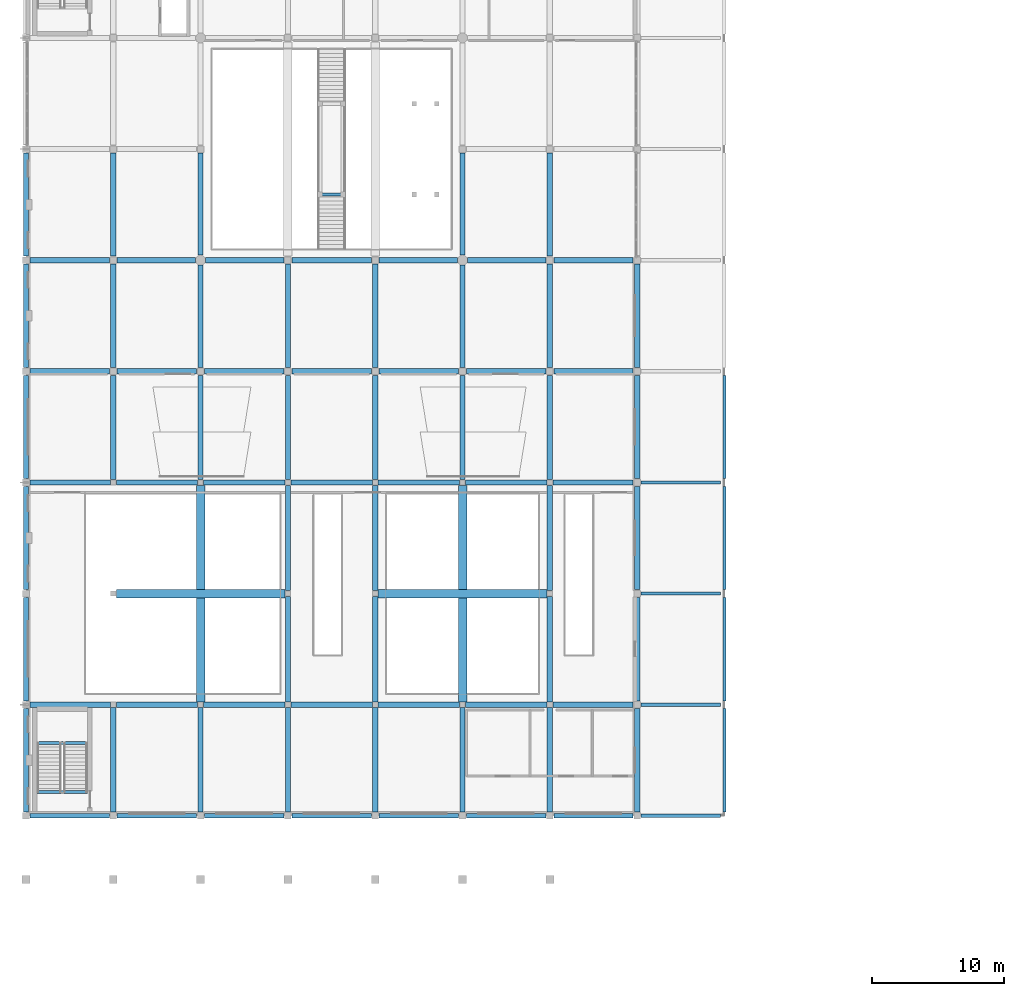
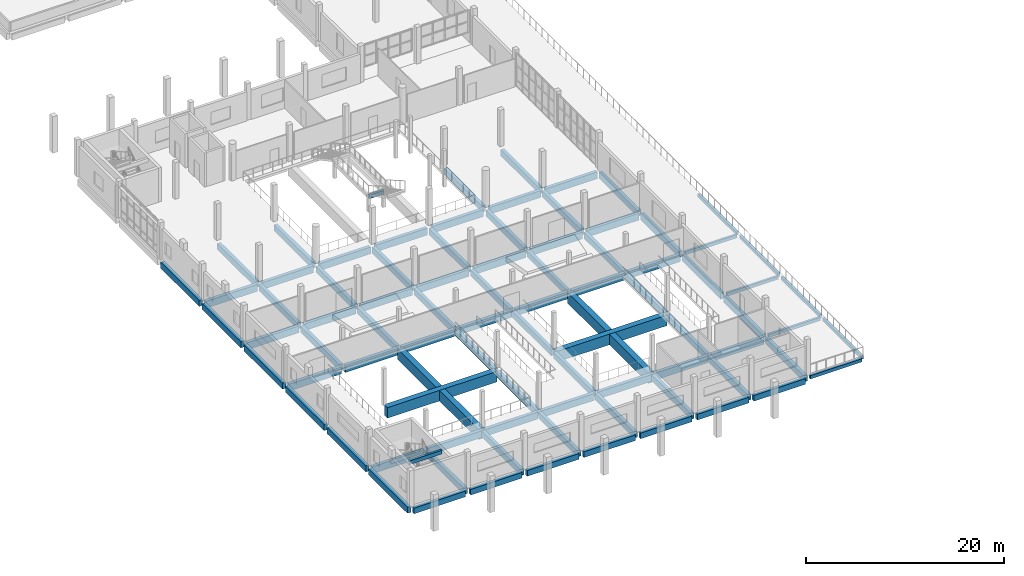
# One storey, part 3 of 83: 89 beams.
"""IFC4 building model written with IfcOpenShell, lengths in metres."""

from ifc_helpers import new_model, si_unit, direction, frame, origin, origin_2d, place, context, subcontext, project, spatial, rectangle, extrude, material, material_profile, profile_set, type_object, element, save


model = new_model("IFC4")

# Units and contexts
model_context = context("Model", 3, precision=1e-05, world=origin(), true_north=direction((0.0, 1.0)))
body_context = subcontext(model_context, "Body", "Model", "MODEL_VIEW")
ifc_project = project(units=[si_unit("LENGTHUNIT", "METRE"), si_unit("AREAUNIT", "SQUARE_METRE"), si_unit("VOLUMEUNIT", "CUBIC_METRE"), si_unit("PLANEANGLEUNIT", "RADIAN"), si_unit("MASSUNIT", "GRAM", prefix="KILO")], contexts=[model_context])

# Site, building, storey
site_placement = place(None, origin())
site = spatial("IfcSite", under=ifc_project, at=site_placement, CompositionType="ELEMENT")
building_placement = place(site_placement, origin())
building = spatial("IfcBuilding", under=site, at=building_placement, Name="Qaldarim Faculty of Natural and Applied Sciences", CompositionType="ELEMENT")
storey_placement = place(building_placement, frame((0.0, 0.0, 5.39990234375)))
storey = spatial("IfcBuildingStorey", under=building, at=storey_placement, Name="L01", CompositionType="ELEMENT", Elevation=5.39990234375)

# Beams
ifc_material_1 = material(Name="Concrete C40/50", Category="concrete")
ifc_material_profile_1 = material_profile(ifc_material_1, rectangle(XDim=0.25, YDim=0.39990234375, at=origin_2d()), Name="RC-LN250x400")
ifc_profile_set_1 = profile_set([ifc_material_profile_1], Name="Concrete C40/50")
beam_type_1 = type_object("IfcBeamType", Name="ArcadeLintel-RC250x400", PredefinedType="LINTEL", material=ifc_profile_set_1)
for number, where, z_axis, x_axis, name in (
    (1, (46.5, 16.800048828125, -0.39990234375), (1.0, 0.0, 0.0), (0.0, 1.0, 0.0), "Beam RC-LN250x400 L00 X08-X09/Y03"),
    (2, (46.5, 25.199951171875, -0.39990234375), (1.0, 0.0, 0.0), (0.0, 1.0, 0.0), "Beam RC-LN250x400 L00 X08-X09/Y04"),
    (3, (46.5, 33.60009765625, -0.39990234375), (1.0, 0.0, 0.0), (0.0, 1.0, 0.0), "Beam RC-LN250x400 L00 X08-X09/Y05"),
    (4, (46.5, 42.0, -0.39990234375), (1.0, 0.0, 0.0), (0.0, 1.0, 0.0), "Beam RC-LN250x400 L00 X08-X09/Y06"),
):
    element("IfcBeam", number, at=place(storey_placement, frame(where, z_axis=z_axis, x_axis=x_axis)), inside=storey, type_object=beam_type_1, Name=name, PredefinedType="LINTEL", context=body_context, shape_type="SweptSolid", body=[
        extrude(rectangle(XDim=0.25, YDim=0.39990234375, at=origin_2d()), origin(), (0.0, 0.0, 1.0), 6.0),
    ])
beam_1_placement = place(storey_placement, frame((52.800048828125, 17.10009765625, -0.39990234375), z_axis=(0.0, 1.0, 0.0), x_axis=(-1.0, 0.0, 0.0)))
element("IfcBeam", 5, at=beam_1_placement, inside=storey, type_object=beam_type_1, Name="Beam RC-LN250x400 L00 X09/Y03-Y04", PredefinedType="LINTEL", context=body_context, shape_type="SweptSolid", body=[
    extrude(rectangle(XDim=0.25, YDim=0.39990234375, at=origin_2d()), origin(), (0.0, 0.0, 1.0), 7.7998046875),
])
for number, where, z_axis, x_axis, name in (
    (6, (52.800048828125, 25.5, -0.39990234375), (0.0, 1.0, 0.0), (-1.0, 0.0, 0.0), "Beam RC-LN250x400 L00 X09/Y04-Y05"),
    (7, (52.800048828125, 33.89990234375, -0.39990234375), (0.0, 1.0, 0.0), (-1.0, 0.0, 0.0), "Beam RC-LN250x400 L00 X09/Y05-Y06"),
    (8, (52.800048828125, 42.300048828125, -0.39990234375), (0.0, 1.0, 0.0), (-1.0, 0.0, 0.0), "Beam RC-LN250x400 L00 X09/Y06-Y07"),
):
    element("IfcBeam", number, at=place(storey_placement, frame(where, z_axis=z_axis, x_axis=x_axis)), inside=storey, type_object=beam_type_1, Name=name, PredefinedType="LINTEL", context=body_context, shape_type="SweptSolid", body=[
        extrude(rectangle(XDim=0.25, YDim=0.39990234375, at=origin_2d()), origin(), (0.0, 0.0, 1.0), 7.800048828125),
    ])
ifc_material_2 = material(Name="Concrete C50/60", Category="concrete")
ifc_material_profile_2 = material_profile(ifc_material_2, rectangle(XDim=0.39990234375, YDim=0.75, at=origin_2d()), Name="RC-B400x750")
ifc_profile_set_2 = profile_set([ifc_material_profile_2], Name="Concrete C50/60")
beam_type_2 = type_object("IfcBeamType", Name="LabGirder-RC400x750", PredefinedType="BEAM", material=ifc_profile_set_2)
beam_2_placement = place(storey_placement, frame((0.0, 17.10009765625, -0.6748046875), z_axis=(0.0, 1.0, 0.0), x_axis=(-1.0, 0.0, 0.0)))
element("IfcBeam", 9, at=beam_2_placement, inside=storey, type_object=beam_type_2, Name="Beam RC-B400x750 L00 X01/Y03-Y04", PredefinedType="BEAM", context=body_context, shape_type="SweptSolid", body=[
    extrude(rectangle(XDim=0.39990234375, YDim=0.75, at=origin_2d()), origin(), (0.0, 0.0, 1.0), 7.7998046875),
])
for number, where, z_axis, x_axis, name in (
    (10, (0.0, 25.5, -0.6748046875), (0.0, 1.0, 0.0), (-1.0, 0.0, 0.0), "Beam RC-B400x750 L00 X01/Y04-Y05"),
    (11, (0.0, 33.89990234375, -0.6748046875), (0.0, 1.0, 0.0), (-1.0, 0.0, 0.0), "Beam RC-B400x750 L00 X01/Y05-Y06"),
    (12, (0.0, 42.300048828125, -0.6748046875), (0.0, 1.0, 0.0), (-1.0, 0.0, 0.0), "Beam RC-B400x750 L00 X01/Y06-Y07"),
    (13, (0.0, 50.699951171875, -0.6748046875), (0.0, 1.0, 0.0), (-1.0, 0.0, 0.0), "Beam RC-B400x750 L00 X01/Y07-Y08"),
):
    element("IfcBeam", number, at=place(storey_placement, frame(where, z_axis=z_axis, x_axis=x_axis)), inside=storey, type_object=beam_type_2, Name=name, PredefinedType="BEAM", context=body_context, shape_type="SweptSolid", body=[
        extrude(rectangle(XDim=0.39990234375, YDim=0.75, at=origin_2d()), origin(), (0.0, 0.0, 1.0), 7.800048828125),
    ])
beam_3_placement = place(storey_placement, frame((0.0, 59.10009765625, -0.6748046875), z_axis=(0.0, 1.0, 0.0), x_axis=(-1.0, 0.0, 0.0)))
element("IfcBeam", 14, at=beam_3_placement, inside=storey, type_object=beam_type_2, Name="Beam RC-B400x750 L00 X01/Y08-Y09", PredefinedType="BEAM", context=body_context, shape_type="SweptSolid", body=[
    extrude(rectangle(XDim=0.39990234375, YDim=0.75, at=origin_2d()), origin(), (0.0, 0.0, 1.0), 7.7998046875),
])
for number, where, z_axis, x_axis, name in (
    (15, (6.60009765625, 17.10009765625, -0.6748046875), (0.0, 1.0, 0.0), (-1.0, 0.0, 0.0), "Beam RC-B400x750 L00 X02/Y03-Y04"),
    (16, (6.60009765625, 42.22509765625, -0.6748046875), (0.0, 1.0, 0.0), (-1.0, 0.0, 0.0), "Beam RC-B400x750 L00 X02/Y06-Y07"),
):
    element("IfcBeam", number, at=place(storey_placement, frame(where, z_axis=z_axis, x_axis=x_axis)), inside=storey, type_object=beam_type_2, Name=name, PredefinedType="BEAM", context=body_context, shape_type="SweptSolid", body=[
        extrude(rectangle(XDim=0.39990234375, YDim=0.75, at=origin_2d()), origin(), (0.0, 0.0, 1.0), 7.875),
    ])
beam_4_placement = place(storey_placement, frame((6.60009765625, 50.699951171875, -0.6748046875), z_axis=(0.0, 1.0, 0.0), x_axis=(-1.0, 0.0, 0.0)))
element("IfcBeam", 17, at=beam_4_placement, inside=storey, type_object=beam_type_2, Name="Beam RC-B400x750 L00 X02/Y07-Y08", PredefinedType="BEAM", context=body_context, shape_type="SweptSolid", body=[
    extrude(rectangle(XDim=0.39990234375, YDim=0.75, at=origin_2d()), origin(), (0.0, 0.0, 1.0), 7.800048828125),
])
beam_5_placement = place(storey_placement, frame((6.60009765625, 59.10009765625, -0.6748046875), z_axis=(0.0, 1.0, 0.0), x_axis=(-1.0, 0.0, 0.0)))
element("IfcBeam", 18, at=beam_5_placement, inside=storey, type_object=beam_type_2, Name="Beam RC-B400x750 L00 X02/Y08-Y09", PredefinedType="BEAM", context=body_context, shape_type="SweptSolid", body=[
    extrude(rectangle(XDim=0.39990234375, YDim=0.75, at=origin_2d()), origin(), (0.0, 0.0, 1.0), 7.7998046875),
])
for number, where, z_axis, x_axis, name in (
    (19, (13.199951171875, 17.10009765625, -0.6748046875), (0.0, 1.0, 0.0), (-1.0, 0.0, 0.0), "Beam RC-B400x750 L00 X03/Y03-Y04"),
    (20, (13.199951171875, 42.22509765625, -0.6748046875), (0.0, 1.0, 0.0), (-1.0, 0.0, 0.0), "Beam RC-B400x750 L00 X03/Y06-Y07"),
):
    element("IfcBeam", number, at=place(storey_placement, frame(where, z_axis=z_axis, x_axis=x_axis)), inside=storey, type_object=beam_type_2, Name=name, PredefinedType="BEAM", context=body_context, shape_type="SweptSolid", body=[
        extrude(rectangle(XDim=0.39990234375, YDim=0.75, at=origin_2d()), origin(), (0.0, 0.0, 1.0), 7.875),
    ])
beam_6_placement = place(storey_placement, frame((13.199951171875, 50.699951171875, -0.6748046875), z_axis=(0.0, 1.0, 0.0), x_axis=(-1.0, 0.0, 0.0)))
element("IfcBeam", 21, at=beam_6_placement, inside=storey, type_object=beam_type_2, Name="Beam RC-B400x750 L00 X03/Y07-Y08", PredefinedType="BEAM", context=body_context, shape_type="SweptSolid", body=[
    extrude(rectangle(XDim=0.39990234375, YDim=0.75, at=origin_2d()), origin(), (0.0, 0.0, 1.0), 7.72509765625),
])
beam_7_placement = place(storey_placement, frame((13.199951171875, 59.175048828125, -0.6748046875), z_axis=(0.0, 1.0, 0.0), x_axis=(-1.0, 0.0, 0.0)))
element("IfcBeam", 22, at=beam_7_placement, inside=storey, type_object=beam_type_2, Name="Beam RC-B400x750 L00 X03/Y08-Y09", PredefinedType="BEAM", context=body_context, shape_type="SweptSolid", body=[
    extrude(rectangle(XDim=0.39990234375, YDim=0.75, at=origin_2d()), origin(), (0.0, 0.0, 1.0), 7.724853515625),
])
beam_8_placement = place(storey_placement, frame((19.800048828125, 17.10009765625, -0.6748046875), z_axis=(0.0, 1.0, 0.0), x_axis=(-1.0, 0.0, 0.0)))
element("IfcBeam", 23, at=beam_8_placement, inside=storey, type_object=beam_type_2, Name="Beam RC-B400x750 L00 X04/Y03-Y04", PredefinedType="BEAM", context=body_context, shape_type="SweptSolid", body=[
    extrude(rectangle(XDim=0.39990234375, YDim=0.75, at=origin_2d()), origin(), (0.0, 0.0, 1.0), 7.875),
])
for number, where, z_axis, x_axis, name in (
    (24, (19.800048828125, 25.425048828125, -0.6748046875), (0.0, 1.0, 0.0), (-1.0, 0.0, 0.0), "Beam RC-B400x750 L00 X04/Y04-Y05"),
    (25, (19.800048828125, 33.824951171875, -0.6748046875), (0.0, 1.0, 0.0), (-1.0, 0.0, 0.0), "Beam RC-B400x750 L00 X04/Y05-Y06"),
):
    element("IfcBeam", number, at=place(storey_placement, frame(where, z_axis=z_axis, x_axis=x_axis)), inside=storey, type_object=beam_type_2, Name=name, PredefinedType="BEAM", context=body_context, shape_type="SweptSolid", body=[
        extrude(rectangle(XDim=0.39990234375, YDim=0.75, at=origin_2d()), origin(), (0.0, 0.0, 1.0), 7.949951171875),
    ])
beam_9_placement = place(storey_placement, frame((19.800048828125, 42.22509765625, -0.6748046875), z_axis=(0.0, 1.0, 0.0), x_axis=(-1.0, 0.0, 0.0)))
element("IfcBeam", 26, at=beam_9_placement, inside=storey, type_object=beam_type_2, Name="Beam RC-B400x750 L00 X04/Y06-Y07", PredefinedType="BEAM", context=body_context, shape_type="SweptSolid", body=[
    extrude(rectangle(XDim=0.39990234375, YDim=0.75, at=origin_2d()), origin(), (0.0, 0.0, 1.0), 7.875),
])
beam_10_placement = place(storey_placement, frame((19.800048828125, 50.699951171875, -0.6748046875), z_axis=(0.0, 1.0, 0.0), x_axis=(-1.0, 0.0, 0.0)))
element("IfcBeam", 27, at=beam_10_placement, inside=storey, type_object=beam_type_2, Name="Beam RC-B400x750 L00 X04/Y07-Y08", PredefinedType="BEAM", context=body_context, shape_type="SweptSolid", body=[
    extrude(rectangle(XDim=0.39990234375, YDim=0.75, at=origin_2d()), origin(), (0.0, 0.0, 1.0), 7.800048828125),
])
beam_11_placement = place(storey_placement, frame((26.39990234375, 17.10009765625, -0.6748046875), z_axis=(0.0, 1.0, 0.0), x_axis=(-1.0, 0.0, 0.0)))
element("IfcBeam", 28, at=beam_11_placement, inside=storey, type_object=beam_type_2, Name="Beam RC-B400x750 L00 X05/Y03-Y04", PredefinedType="BEAM", context=body_context, shape_type="SweptSolid", body=[
    extrude(rectangle(XDim=0.39990234375, YDim=0.75, at=origin_2d()), origin(), (0.0, 0.0, 1.0), 7.875),
])
for number, where, z_axis, x_axis, name in (
    (29, (26.39990234375, 25.425048828125, -0.6748046875), (0.0, 1.0, 0.0), (-1.0, 0.0, 0.0), "Beam RC-B400x750 L00 X05/Y04-Y05"),
    (30, (26.39990234375, 33.824951171875, -0.6748046875), (0.0, 1.0, 0.0), (-1.0, 0.0, 0.0), "Beam RC-B400x750 L00 X05/Y05-Y06"),
):
    element("IfcBeam", number, at=place(storey_placement, frame(where, z_axis=z_axis, x_axis=x_axis)), inside=storey, type_object=beam_type_2, Name=name, PredefinedType="BEAM", context=body_context, shape_type="SweptSolid", body=[
        extrude(rectangle(XDim=0.39990234375, YDim=0.75, at=origin_2d()), origin(), (0.0, 0.0, 1.0), 7.949951171875),
    ])
beam_12_placement = place(storey_placement, frame((26.39990234375, 42.22509765625, -0.6748046875), z_axis=(0.0, 1.0, 0.0), x_axis=(-1.0, 0.0, 0.0)))
element("IfcBeam", 31, at=beam_12_placement, inside=storey, type_object=beam_type_2, Name="Beam RC-B400x750 L00 X05/Y06-Y07", PredefinedType="BEAM", context=body_context, shape_type="SweptSolid", body=[
    extrude(rectangle(XDim=0.39990234375, YDim=0.75, at=origin_2d()), origin(), (0.0, 0.0, 1.0), 7.875),
])
beam_13_placement = place(storey_placement, frame((26.39990234375, 50.699951171875, -0.6748046875), z_axis=(0.0, 1.0, 0.0), x_axis=(-1.0, 0.0, 0.0)))
element("IfcBeam", 32, at=beam_13_placement, inside=storey, type_object=beam_type_2, Name="Beam RC-B400x750 L00 X05/Y07-Y08", PredefinedType="BEAM", context=body_context, shape_type="SweptSolid", body=[
    extrude(rectangle(XDim=0.39990234375, YDim=0.75, at=origin_2d()), origin(), (0.0, 0.0, 1.0), 7.800048828125),
])
for number, where, z_axis, x_axis, name in (
    (33, (33.0, 17.10009765625, -0.6748046875), (0.0, 1.0, 0.0), (-1.0, 0.0, 0.0), "Beam RC-B400x750 L00 X06/Y03-Y04"),
    (34, (33.0, 42.22509765625, -0.6748046875), (0.0, 1.0, 0.0), (-1.0, 0.0, 0.0), "Beam RC-B400x750 L00 X06/Y06-Y07"),
):
    element("IfcBeam", number, at=place(storey_placement, frame(where, z_axis=z_axis, x_axis=x_axis)), inside=storey, type_object=beam_type_2, Name=name, PredefinedType="BEAM", context=body_context, shape_type="SweptSolid", body=[
        extrude(rectangle(XDim=0.39990234375, YDim=0.75, at=origin_2d()), origin(), (0.0, 0.0, 1.0), 7.875),
    ])
beam_14_placement = place(storey_placement, frame((33.0, 50.699951171875, -0.6748046875), z_axis=(0.0, 1.0, 0.0), x_axis=(-1.0, 0.0, 0.0)))
element("IfcBeam", 35, at=beam_14_placement, inside=storey, type_object=beam_type_2, Name="Beam RC-B400x750 L00 X06/Y07-Y08", PredefinedType="BEAM", context=body_context, shape_type="SweptSolid", body=[
    extrude(rectangle(XDim=0.39990234375, YDim=0.75, at=origin_2d()), origin(), (0.0, 0.0, 1.0), 7.72509765625),
])
beam_15_placement = place(storey_placement, frame((33.0, 59.175048828125, -0.6748046875), z_axis=(0.0, 1.0, 0.0), x_axis=(-1.0, 0.0, 0.0)))
element("IfcBeam", 36, at=beam_15_placement, inside=storey, type_object=beam_type_2, Name="Beam RC-B400x750 L00 X06/Y08-Y09", PredefinedType="BEAM", context=body_context, shape_type="SweptSolid", body=[
    extrude(rectangle(XDim=0.39990234375, YDim=0.75, at=origin_2d()), origin(), (0.0, 0.0, 1.0), 7.724853515625),
])
beam_16_placement = place(storey_placement, frame((39.60009765625, 17.10009765625, -0.6748046875), z_axis=(0.0, 1.0, 0.0), x_axis=(-1.0, 0.0, 0.0)))
element("IfcBeam", 37, at=beam_16_placement, inside=storey, type_object=beam_type_2, Name="Beam RC-B400x750 L00 X07/Y03-Y04", PredefinedType="BEAM", context=body_context, shape_type="SweptSolid", body=[
    extrude(rectangle(XDim=0.39990234375, YDim=0.75, at=origin_2d()), origin(), (0.0, 0.0, 1.0), 7.875),
])
for number, where, z_axis, x_axis, name in (
    (38, (39.60009765625, 25.425048828125, -0.6748046875), (0.0, 1.0, 0.0), (-1.0, 0.0, 0.0), "Beam RC-B400x750 L00 X07/Y04-Y05"),
    (39, (39.60009765625, 33.824951171875, -0.6748046875), (0.0, 1.0, 0.0), (-1.0, 0.0, 0.0), "Beam RC-B400x750 L00 X07/Y05-Y06"),
):
    element("IfcBeam", number, at=place(storey_placement, frame(where, z_axis=z_axis, x_axis=x_axis)), inside=storey, type_object=beam_type_2, Name=name, PredefinedType="BEAM", context=body_context, shape_type="SweptSolid", body=[
        extrude(rectangle(XDim=0.39990234375, YDim=0.75, at=origin_2d()), origin(), (0.0, 0.0, 1.0), 7.949951171875),
    ])
beam_17_placement = place(storey_placement, frame((39.60009765625, 42.22509765625, -0.6748046875), z_axis=(0.0, 1.0, 0.0), x_axis=(-1.0, 0.0, 0.0)))
element("IfcBeam", 40, at=beam_17_placement, inside=storey, type_object=beam_type_2, Name="Beam RC-B400x750 L00 X07/Y06-Y07", PredefinedType="BEAM", context=body_context, shape_type="SweptSolid", body=[
    extrude(rectangle(XDim=0.39990234375, YDim=0.75, at=origin_2d()), origin(), (0.0, 0.0, 1.0), 7.875),
])
beam_18_placement = place(storey_placement, frame((39.60009765625, 50.699951171875, -0.6748046875), z_axis=(0.0, 1.0, 0.0), x_axis=(-1.0, 0.0, 0.0)))
element("IfcBeam", 41, at=beam_18_placement, inside=storey, type_object=beam_type_2, Name="Beam RC-B400x750 L00 X07/Y07-Y08", PredefinedType="BEAM", context=body_context, shape_type="SweptSolid", body=[
    extrude(rectangle(XDim=0.39990234375, YDim=0.75, at=origin_2d()), origin(), (0.0, 0.0, 1.0), 7.800048828125),
])
for number, where, z_axis, x_axis, name in (
    (42, (39.60009765625, 59.10009765625, -0.6748046875), (0.0, 1.0, 0.0), (-1.0, 0.0, 0.0), "Beam RC-B400x750 L00 X07/Y08-Y09"),
    (43, (46.199951171875, 17.10009765625, -0.6748046875), (0.0, 1.0, 0.0), (-1.0, 0.0, 0.0), "Beam RC-B400x750 L00 X08/Y03-Y04"),
):
    element("IfcBeam", number, at=place(storey_placement, frame(where, z_axis=z_axis, x_axis=x_axis)), inside=storey, type_object=beam_type_2, Name=name, PredefinedType="BEAM", context=body_context, shape_type="SweptSolid", body=[
        extrude(rectangle(XDim=0.39990234375, YDim=0.75, at=origin_2d()), origin(), (0.0, 0.0, 1.0), 7.7998046875),
    ])
for number, where, z_axis, x_axis, name in (
    (44, (46.199951171875, 25.5, -0.6748046875), (0.0, 1.0, 0.0), (-1.0, 0.0, 0.0), "Beam RC-B400x750 L00 X08/Y04-Y05"),
    (45, (46.199951171875, 33.89990234375, -0.6748046875), (0.0, 1.0, 0.0), (-1.0, 0.0, 0.0), "Beam RC-B400x750 L00 X08/Y05-Y06"),
    (46, (46.199951171875, 42.300048828125, -0.6748046875), (0.0, 1.0, 0.0), (-1.0, 0.0, 0.0), "Beam RC-B400x750 L00 X08/Y06-Y07"),
    (47, (46.199951171875, 50.699951171875, -0.6748046875), (0.0, 1.0, 0.0), (-1.0, 0.0, 0.0), "Beam RC-B400x750 L00 X08/Y07-Y08"),
):
    element("IfcBeam", number, at=place(storey_placement, frame(where, z_axis=z_axis, x_axis=x_axis)), inside=storey, type_object=beam_type_2, Name=name, PredefinedType="BEAM", context=body_context, shape_type="SweptSolid", body=[
        extrude(rectangle(XDim=0.39990234375, YDim=0.75, at=origin_2d()), origin(), (0.0, 0.0, 1.0), 7.800048828125),
    ])
ifc_material_profile_3 = material_profile(ifc_material_1, rectangle(XDim=0.25, YDim=0.449951171875, at=origin_2d()), Name="RC-LN250x450")
ifc_profile_set_3 = profile_set([ifc_material_profile_3], Name="Concrete C40/50")
beam_type_3 = type_object("IfcBeamType", Name="LandingSupportBeam-RC250x450", PredefinedType="BEAM", material=ifc_profile_set_3)
for number, where, z_axis, x_axis, name in (
    (48, (0.85009765625, 22.304931640625, 1.815185546875), (1.0, 0.0, 0.0), (0.0, 1.0, 0.0), "Stair landing support beam ST-D1 L01"),
    (49, (0.85009765625, 18.60009765625, 3.97509765625), (1.0, 0.0, 0.0), (0.0, 1.0, 0.0), "Stair arrival support beam ST-D1 L01"),
):
    element("IfcBeam", number, at=place(storey_placement, frame(where, z_axis=z_axis, x_axis=x_axis)), inside=storey, type_object=beam_type_3, Name=name, PredefinedType="BEAM", context=body_context, shape_type="SweptSolid", body=[
        extrude(rectangle(XDim=0.25, YDim=0.449951171875, at=origin_2d()), origin(), (0.0, 0.0, 1.0), 3.7998046875),
    ])
beam_19_placement = place(storey_placement, frame((22.25, 63.77001953125, 1.815185546875), z_axis=(1.0, 0.0, 0.0), x_axis=(0.0, 1.0, 0.0)))
element("IfcBeam", 50, at=beam_19_placement, inside=storey, type_object=beam_type_3, Name="Open stair landing beam ST-AT1-L01 S", PredefinedType="BEAM", context=body_context, shape_type="SweptSolid", body=[
    extrude(rectangle(XDim=0.25, YDim=0.449951171875, at=origin_2d()), origin(), (0.0, 0.0, 1.0), 1.699951171875),
])
ifc_material_profile_4 = material_profile(ifc_material_2, rectangle(XDim=0.39990234375, YDim=0.85009765625, at=origin_2d()), Name="RC-B400x850")
ifc_profile_set_4 = profile_set([ifc_material_profile_4], Name="Concrete C50/60")
beam_type_4 = type_object("IfcBeamType", Name="PodiumGirder-RC400x850", PredefinedType="BEAM", material=ifc_profile_set_4)
beam_20_placement = place(storey_placement, frame((0.300048828125, 25.199951171875, -0.724853515625), z_axis=(1.0, 0.0, 0.0), x_axis=(0.0, 1.0, 0.0)))
element("IfcBeam", 51, at=beam_20_placement, inside=storey, type_object=beam_type_4, Name="Beam RC-B400x850 L00 X01-X02/Y04", PredefinedType="BEAM", context=body_context, shape_type="SweptSolid", body=[
    extrude(rectangle(XDim=0.39990234375, YDim=0.85009765625, at=origin_2d()), origin(), (0.0, 0.0, 1.0), 6.074951171875),
])
beam_21_placement = place(storey_placement, frame((6.824951171875, 25.199951171875, -0.724853515625), z_axis=(1.0, 0.0, 0.0), x_axis=(0.0, 1.0, 0.0)))
element("IfcBeam", 52, at=beam_21_placement, inside=storey, type_object=beam_type_4, Name="Beam RC-B400x850 L00 X02-X03/Y04", PredefinedType="BEAM", context=body_context, shape_type="SweptSolid", body=[
    extrude(rectangle(XDim=0.39990234375, YDim=0.85009765625, at=origin_2d()), origin(), (0.0, 0.0, 1.0), 6.150146484375),
])
beam_22_placement = place(storey_placement, frame((13.425048828125, 25.199951171875, -0.724853515625), z_axis=(1.0, 0.0, 0.0), x_axis=(0.0, 1.0, 0.0)))
element("IfcBeam", 53, at=beam_22_placement, inside=storey, type_object=beam_type_4, Name="Beam RC-B400x850 L00 X03-X04/Y04", PredefinedType="BEAM", context=body_context, shape_type="SweptSolid", body=[
    extrude(rectangle(XDim=0.39990234375, YDim=0.85009765625, at=origin_2d()), origin(), (0.0, 0.0, 1.0), 6.14990234375),
])
beam_23_placement = place(storey_placement, frame((20.02490234375, 25.199951171875, -0.724853515625), z_axis=(1.0, 0.0, 0.0), x_axis=(0.0, 1.0, 0.0)))
element("IfcBeam", 54, at=beam_23_placement, inside=storey, type_object=beam_type_4, Name="Beam RC-B400x850 L00 X04-X05/Y04", PredefinedType="BEAM", context=body_context, shape_type="SweptSolid", body=[
    extrude(rectangle(XDim=0.39990234375, YDim=0.85009765625, at=origin_2d()), origin(), (0.0, 0.0, 1.0), 6.150146484375),
])
for number, where, z_axis, x_axis, name in (
    (55, (26.625, 25.199951171875, -0.724853515625), (1.0, 0.0, 0.0), (0.0, 1.0, 0.0), "Beam RC-B400x850 L00 X05-X06/Y04"),
    (56, (33.22509765625, 25.199951171875, -0.724853515625), (1.0, 0.0, 0.0), (0.0, 1.0, 0.0), "Beam RC-B400x850 L00 X06-X07/Y04"),
):
    element("IfcBeam", number, at=place(storey_placement, frame(where, z_axis=z_axis, x_axis=x_axis)), inside=storey, type_object=beam_type_4, Name=name, PredefinedType="BEAM", context=body_context, shape_type="SweptSolid", body=[
        extrude(rectangle(XDim=0.39990234375, YDim=0.85009765625, at=origin_2d()), origin(), (0.0, 0.0, 1.0), 6.14990234375),
    ])
for number, where, z_axis, x_axis, name in (
    (57, (39.824951171875, 25.199951171875, -0.724853515625), (1.0, 0.0, 0.0), (0.0, 1.0, 0.0), "Beam RC-B400x850 L00 X07-X08/Y04"),
    (58, (0.300048828125, 42.0, -0.724853515625), (1.0, 0.0, 0.0), (0.0, 1.0, 0.0), "Beam RC-B400x850 L00 X01-X02/Y06"),
):
    element("IfcBeam", number, at=place(storey_placement, frame(where, z_axis=z_axis, x_axis=x_axis)), inside=storey, type_object=beam_type_4, Name=name, PredefinedType="BEAM", context=body_context, shape_type="SweptSolid", body=[
        extrude(rectangle(XDim=0.39990234375, YDim=0.85009765625, at=origin_2d()), origin(), (0.0, 0.0, 1.0), 6.074951171875),
    ])
beam_24_placement = place(storey_placement, frame((6.824951171875, 42.0, -0.724853515625), z_axis=(1.0, 0.0, 0.0), x_axis=(0.0, 1.0, 0.0)))
element("IfcBeam", 59, at=beam_24_placement, inside=storey, type_object=beam_type_4, Name="Beam RC-B400x850 L00 X02-X03/Y06", PredefinedType="BEAM", context=body_context, shape_type="SweptSolid", body=[
    extrude(rectangle(XDim=0.39990234375, YDim=0.85009765625, at=origin_2d()), origin(), (0.0, 0.0, 1.0), 6.150146484375),
])
beam_25_placement = place(storey_placement, frame((13.425048828125, 42.0, -0.724853515625), z_axis=(1.0, 0.0, 0.0), x_axis=(0.0, 1.0, 0.0)))
element("IfcBeam", 60, at=beam_25_placement, inside=storey, type_object=beam_type_4, Name="Beam RC-B400x850 L00 X03-X04/Y06", PredefinedType="BEAM", context=body_context, shape_type="SweptSolid", body=[
    extrude(rectangle(XDim=0.39990234375, YDim=0.85009765625, at=origin_2d()), origin(), (0.0, 0.0, 1.0), 6.14990234375),
])
beam_26_placement = place(storey_placement, frame((20.02490234375, 42.0, -0.724853515625), z_axis=(1.0, 0.0, 0.0), x_axis=(0.0, 1.0, 0.0)))
element("IfcBeam", 61, at=beam_26_placement, inside=storey, type_object=beam_type_4, Name="Beam RC-B400x850 L00 X04-X05/Y06", PredefinedType="BEAM", context=body_context, shape_type="SweptSolid", body=[
    extrude(rectangle(XDim=0.39990234375, YDim=0.85009765625, at=origin_2d()), origin(), (0.0, 0.0, 1.0), 6.150146484375),
])
for number, where, z_axis, x_axis, name in (
    (62, (26.625, 42.0, -0.724853515625), (1.0, 0.0, 0.0), (0.0, 1.0, 0.0), "Beam RC-B400x850 L00 X05-X06/Y06"),
    (63, (33.22509765625, 42.0, -0.724853515625), (1.0, 0.0, 0.0), (0.0, 1.0, 0.0), "Beam RC-B400x850 L00 X06-X07/Y06"),
):
    element("IfcBeam", number, at=place(storey_placement, frame(where, z_axis=z_axis, x_axis=x_axis)), inside=storey, type_object=beam_type_4, Name=name, PredefinedType="BEAM", context=body_context, shape_type="SweptSolid", body=[
        extrude(rectangle(XDim=0.39990234375, YDim=0.85009765625, at=origin_2d()), origin(), (0.0, 0.0, 1.0), 6.14990234375),
    ])
beam_27_placement = place(storey_placement, frame((39.824951171875, 42.0, -0.724853515625), z_axis=(1.0, 0.0, 0.0), x_axis=(0.0, 1.0, 0.0)))
element("IfcBeam", 64, at=beam_27_placement, inside=storey, type_object=beam_type_4, Name="Beam RC-B400x850 L00 X07-X08/Y06", PredefinedType="BEAM", context=body_context, shape_type="SweptSolid", body=[
    extrude(rectangle(XDim=0.39990234375, YDim=0.85009765625, at=origin_2d()), origin(), (0.0, 0.0, 1.0), 6.074951171875),
])
for number, where, z_axis, x_axis, name in (
    (65, (0.300048828125, 50.39990234375, -0.724853515625), (1.0, 0.0, 0.0), (0.0, 1.0, 0.0), "Beam RC-B400x850 L00 X01-X02/Y07"),
    (66, (6.89990234375, 50.39990234375, -0.724853515625), (1.0, 0.0, 0.0), (0.0, 1.0, 0.0), "Beam RC-B400x850 L00 X02-X03/Y07"),
    (67, (13.5, 50.39990234375, -0.724853515625), (1.0, 0.0, 0.0), (0.0, 1.0, 0.0), "Beam RC-B400x850 L00 X03-X04/Y07"),
    (68, (20.10009765625, 50.39990234375, -0.724853515625), (1.0, 0.0, 0.0), (0.0, 1.0, 0.0), "Beam RC-B400x850 L00 X04-X05/Y07"),
    (69, (26.699951171875, 50.39990234375, -0.724853515625), (1.0, 0.0, 0.0), (0.0, 1.0, 0.0), "Beam RC-B400x850 L00 X05-X06/Y07"),
    (70, (33.300048828125, 50.39990234375, -0.724853515625), (1.0, 0.0, 0.0), (0.0, 1.0, 0.0), "Beam RC-B400x850 L00 X06-X07/Y07"),
    (71, (39.89990234375, 50.39990234375, -0.724853515625), (1.0, 0.0, 0.0), (0.0, 1.0, 0.0), "Beam RC-B400x850 L00 X07-X08/Y07"),
    (72, (0.300048828125, 58.800048828125, -0.724853515625), (1.0, 0.0, 0.0), (0.0, 1.0, 0.0), "Beam RC-B400x850 L00 X01-X02/Y08"),
):
    element("IfcBeam", number, at=place(storey_placement, frame(where, z_axis=z_axis, x_axis=x_axis)), inside=storey, type_object=beam_type_4, Name=name, PredefinedType="BEAM", context=body_context, shape_type="SweptSolid", body=[
        extrude(rectangle(XDim=0.39990234375, YDim=0.85009765625, at=origin_2d()), origin(), (0.0, 0.0, 1.0), 6.0),
    ])
for number, where, z_axis, x_axis, name in (
    (73, (6.89990234375, 58.800048828125, -0.724853515625), (1.0, 0.0, 0.0), (0.0, 1.0, 0.0), "Beam RC-B400x850 L00 X02-X03/Y08"),
    (74, (13.574951171875, 58.800048828125, -0.724853515625), (1.0, 0.0, 0.0), (0.0, 1.0, 0.0), "Beam RC-B400x850 L00 X03-X04/Y08"),
):
    element("IfcBeam", number, at=place(storey_placement, frame(where, z_axis=z_axis, x_axis=x_axis)), inside=storey, type_object=beam_type_4, Name=name, PredefinedType="BEAM", context=body_context, shape_type="SweptSolid", body=[
        extrude(rectangle(XDim=0.39990234375, YDim=0.85009765625, at=origin_2d()), origin(), (0.0, 0.0, 1.0), 5.925048828125),
    ])
beam_28_placement = place(storey_placement, frame((20.10009765625, 58.800048828125, -0.724853515625), z_axis=(1.0, 0.0, 0.0), x_axis=(0.0, 1.0, 0.0)))
element("IfcBeam", 75, at=beam_28_placement, inside=storey, type_object=beam_type_4, Name="Beam RC-B400x850 L00 X04-X05/Y08", PredefinedType="BEAM", context=body_context, shape_type="SweptSolid", body=[
    extrude(rectangle(XDim=0.39990234375, YDim=0.85009765625, at=origin_2d()), origin(), (0.0, 0.0, 1.0), 6.0),
])
for number, where, z_axis, x_axis, name in (
    (76, (26.699951171875, 58.800048828125, -0.724853515625), (1.0, 0.0, 0.0), (0.0, 1.0, 0.0), "Beam RC-B400x850 L00 X05-X06/Y08"),
    (77, (33.375, 58.800048828125, -0.724853515625), (1.0, 0.0, 0.0), (0.0, 1.0, 0.0), "Beam RC-B400x850 L00 X06-X07/Y08"),
):
    element("IfcBeam", number, at=place(storey_placement, frame(where, z_axis=z_axis, x_axis=x_axis)), inside=storey, type_object=beam_type_4, Name=name, PredefinedType="BEAM", context=body_context, shape_type="SweptSolid", body=[
        extrude(rectangle(XDim=0.39990234375, YDim=0.85009765625, at=origin_2d()), origin(), (0.0, 0.0, 1.0), 5.925048828125),
    ])
beam_29_placement = place(storey_placement, frame((39.89990234375, 58.800048828125, -0.724853515625), z_axis=(1.0, 0.0, 0.0), x_axis=(0.0, 1.0, 0.0)))
element("IfcBeam", 78, at=beam_29_placement, inside=storey, type_object=beam_type_4, Name="Beam RC-B400x850 L00 X07-X08/Y08", PredefinedType="BEAM", context=body_context, shape_type="SweptSolid", body=[
    extrude(rectangle(XDim=0.39990234375, YDim=0.85009765625, at=origin_2d()), origin(), (0.0, 0.0, 1.0), 6.0),
])
ifc_material_profile_5 = material_profile(ifc_material_1, rectangle(XDim=0.35009765625, YDim=0.699951171875, at=origin_2d()), Name="RC-B350x700")
ifc_profile_set_5 = profile_set([ifc_material_profile_5], Name="Concrete C40/50")
beam_type_5 = type_object("IfcBeamType", Name="PrimaryGirder-RC350x700", PredefinedType="BEAM", material=ifc_profile_set_5)
for number, where, z_axis, x_axis, name in (
    (79, (0.300048828125, 16.800048828125, -0.64990234375), (1.0, 0.0, 0.0), (0.0, 1.0, 0.0), "Beam RC-B350x700 L00 X01-X02/Y03"),
    (80, (6.89990234375, 16.800048828125, -0.64990234375), (1.0, 0.0, 0.0), (0.0, 1.0, 0.0), "Beam RC-B350x700 L00 X02-X03/Y03"),
    (81, (13.5, 16.800048828125, -0.64990234375), (1.0, 0.0, 0.0), (0.0, 1.0, 0.0), "Beam RC-B350x700 L00 X03-X04/Y03"),
    (82, (20.10009765625, 16.800048828125, -0.64990234375), (1.0, 0.0, 0.0), (0.0, 1.0, 0.0), "Beam RC-B350x700 L00 X04-X05/Y03"),
    (83, (26.699951171875, 16.800048828125, -0.64990234375), (1.0, 0.0, 0.0), (0.0, 1.0, 0.0), "Beam RC-B350x700 L00 X05-X06/Y03"),
    (84, (33.300048828125, 16.800048828125, -0.64990234375), (1.0, 0.0, 0.0), (0.0, 1.0, 0.0), "Beam RC-B350x700 L00 X06-X07/Y03"),
    (85, (39.89990234375, 16.800048828125, -0.64990234375), (1.0, 0.0, 0.0), (0.0, 1.0, 0.0), "Beam RC-B350x700 L00 X07-X08/Y03"),
):
    element("IfcBeam", number, at=place(storey_placement, frame(where, z_axis=z_axis, x_axis=x_axis)), inside=storey, type_object=beam_type_5, Name=name, PredefinedType="BEAM", context=body_context, shape_type="SweptSolid", body=[
        extrude(rectangle(XDim=0.35009765625, YDim=0.699951171875, at=origin_2d()), origin(), (0.0, 0.0, 1.0), 6.0),
    ])
ifc_material_profile_6 = material_profile(ifc_material_2, rectangle(XDim=0.64990234375, YDim=1.300048828125, at=origin_2d()), Name="RC-TG650x1300")
ifc_profile_set_6 = profile_set([ifc_material_profile_6], Name="Concrete C50/60")
beam_type_6 = type_object("IfcBeamType", Name="TransferGirder-RC650x1300", PredefinedType="BEAM", material=ifc_profile_set_6)
for number, where, z_axis, x_axis, name in (
    (86, (6.824951171875, 33.60009765625, -0.949951171875), (1.0, 0.0, 0.0), (0.0, 1.0, 0.0), "Long-span girder L00 Y05 X02-X04"),
    (87, (26.625, 33.60009765625, -0.949951171875), (1.0, 0.0, 0.0), (0.0, 1.0, 0.0), "Long-span girder L00 Y05 X05-X07"),
):
    element("IfcBeam", number, at=place(storey_placement, frame(where, z_axis=z_axis, x_axis=x_axis)), inside=storey, type_object=beam_type_6, Name=name, PredefinedType="BEAM", context=body_context, shape_type="SweptSolid", body=[
        extrude(rectangle(XDim=0.64990234375, YDim=1.300048828125, at=origin_2d()), origin(), (0.0, 0.0, 1.0), 12.75),
    ])
for number, where, z_axis, x_axis, name in (
    (88, (13.199951171875, 25.425048828125, -0.949951171875), (0.0, 1.0, 0.0), (-1.0, 0.0, 0.0), "Long-span girder L00 X03 Y04-Y06"),
    (89, (33.0, 25.425048828125, -0.949951171875), (0.0, 1.0, 0.0), (-1.0, 0.0, 0.0), "Long-span girder L00 X06 Y04-Y06"),
):
    element("IfcBeam", number, at=place(storey_placement, frame(where, z_axis=z_axis, x_axis=x_axis)), inside=storey, type_object=beam_type_6, Name=name, PredefinedType="BEAM", context=body_context, shape_type="SweptSolid", body=[
        extrude(rectangle(XDim=0.64990234375, YDim=1.300048828125, at=origin_2d()), origin(), (0.0, 0.0, 1.0), 16.349853515625),
    ])

save(model, "model.ifc")
